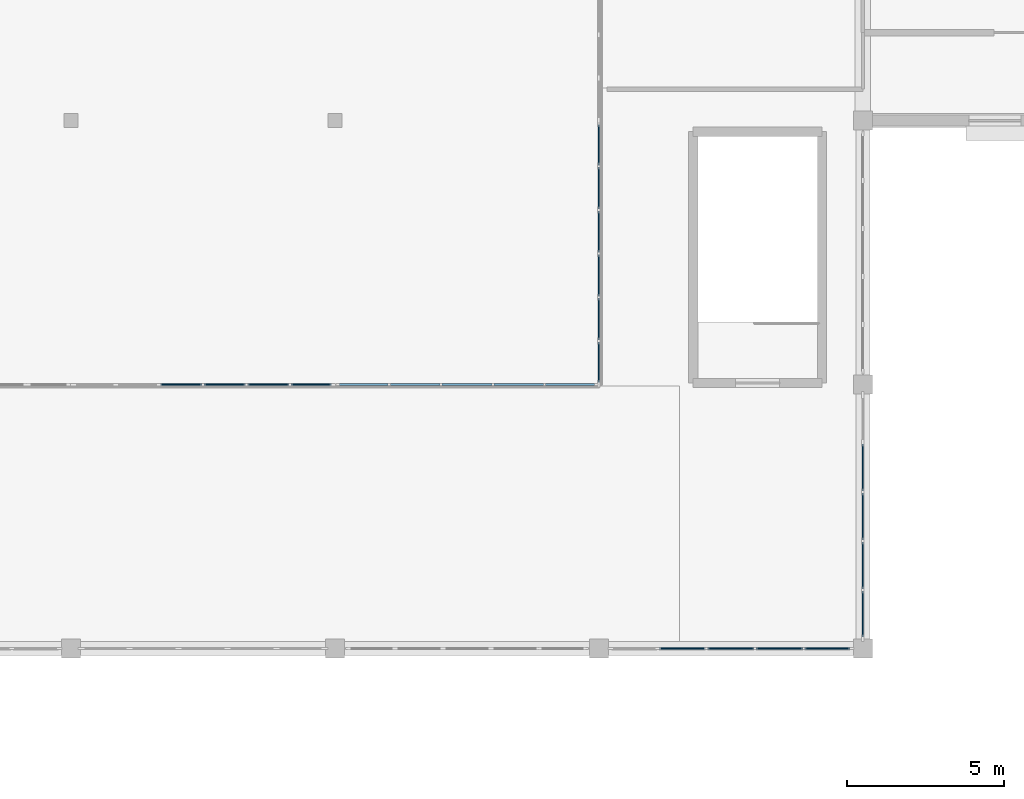
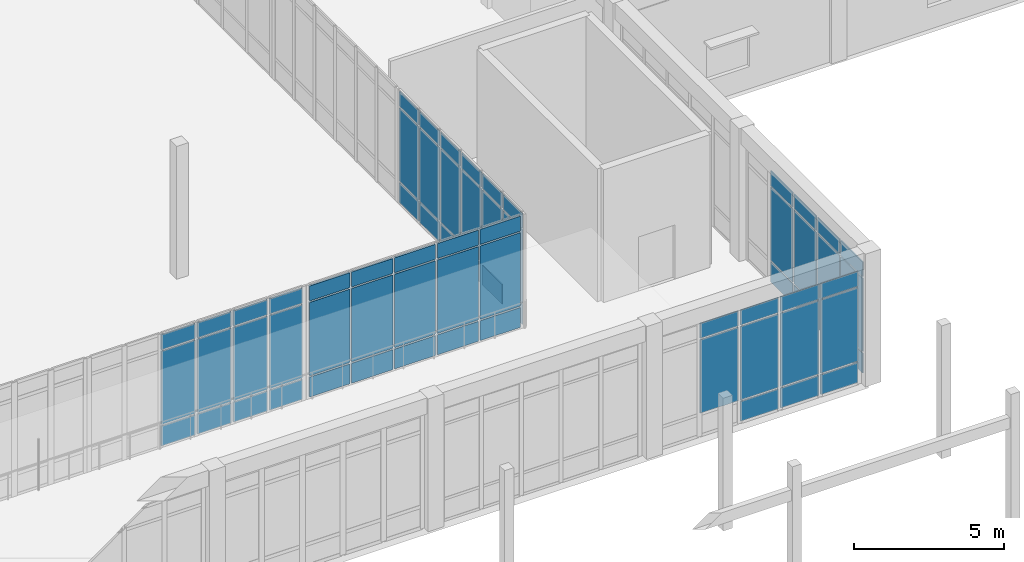
# One storey, part 60 of 157: 68 plates, 5 elements without a shape of their own.
"""IFC4 building model written with IfcOpenShell, lengths in metres."""

from ifc_helpers import new_model, si_unit, direction, frame, origin, origin_2d, place, context, subcontext, project, spatial, rectangle, extrude, material, layer, layer_set, type_object, element, aggregate, save


model = new_model("IFC4")

# Units and contexts
model_context = context("Model", 3, precision=1e-05, world=origin(), true_north=direction((0.0, 1.0)))
body_context = subcontext(model_context, "Body", "Model", "MODEL_VIEW")
ifc_project = project(units=[si_unit("LENGTHUNIT", "METRE"), si_unit("AREAUNIT", "SQUARE_METRE"), si_unit("VOLUMEUNIT", "CUBIC_METRE"), si_unit("PLANEANGLEUNIT", "RADIAN"), si_unit("MASSUNIT", "GRAM", prefix="KILO")], contexts=[model_context])

# Site, building, storey
site_placement = place(None, origin())
site = spatial("IfcSite", under=ifc_project, at=site_placement, CompositionType="ELEMENT")
building_placement = place(site_placement, origin())
building = spatial("IfcBuilding", under=site, at=building_placement, Name="Varncliffe General Hospital", CompositionType="ELEMENT")
storey_placement = place(building_placement, frame((0.0, 0.0, 5.39990234375)))
storey = spatial("IfcBuildingStorey", under=building, at=storey_placement, Name="L01", CompositionType="ELEMENT", Elevation=5.39990234375)

# Curtain wall, plates
ifc_material_1 = material(Name="Triple low-E argon insulated vision glazing", Category="glass")
curtain_wall_type_1 = type_object("IfcCurtainWallType", Name="Unitised Glazed Curtain Wall CW70 (7724x4640)", PredefinedType="USERDEFINED", material=ifc_material_1)
curtain_wall_1_placement = place(storey_placement, origin())
curtain_wall_1 = element("IfcCurtainWall", 1, at=curtain_wall_1_placement, inside=storey, type_object=curtain_wall_type_1, Name="L01 Glazed Curtain Wall CW70-46", ObjectType="GLAZED CURTAIN WALL", PredefinedType="USERDEFINED")
ifc_layer_1 = layer(ifc_material_1, 0.0439453125)
ifc_layer_set_1 = layer_set([ifc_layer_1], Name="Triple low-E argon insulated vision glazing")
plate_type_1 = type_object("IfcPlateType", Name="Curtain Wall Glazing Panel CP12 (44mm)", PredefinedType="CURTAIN_PANEL", material=ifc_layer_set_1)
plate_1_placement = place(storey_placement, frame((116.470947265625, 7.199951171875, 0.06005859375), z_axis=(0.0, 0.0, 1.0), x_axis=(-1.0, 0.0, 0.0)))
plate_1 = element("IfcPlate", 2, at=plate_1_placement, type_object=plate_type_1, Name="CW70 panel 1.1", PredefinedType="CURTAIN_PANEL", context=body_context, shape_type="SweptSolid", body=[
    extrude(rectangle(XDim=1.432373046875, YDim=0.0439453125, at=origin_2d()), origin(), (0.0, 0.0, 1.0), 0.81005859375),
])
plate_2_placement = place(storey_placement, frame((116.470947265625, 7.199951171875, 0.93017578125), z_axis=(0.0, 0.0, 1.0), x_axis=(-1.0, 0.0, 0.0)))
plate_2 = element("IfcPlate", 3, at=plate_2_placement, type_object=plate_type_1, Name="CW70 panel 1.2", PredefinedType="CURTAIN_PANEL", context=body_context, shape_type="SweptSolid", body=[
    extrude(rectangle(XDim=1.432373046875, YDim=0.0439453125, at=origin_2d()), origin(), (0.0, 0.0, 1.0), 2.97998046875),
])
plate_3_placement = place(storey_placement, frame((116.470947265625, 7.199951171875, 3.97021484375), z_axis=(0.0, 0.0, 1.0), x_axis=(-1.0, 0.0, 0.0)))
plate_3 = element("IfcPlate", 4, at=plate_3_placement, type_object=plate_type_1, Name="CW70 panel 1.3", PredefinedType="CURTAIN_PANEL", context=body_context, shape_type="SweptSolid", body=[
    extrude(rectangle(XDim=1.432373046875, YDim=0.0439453125, at=origin_2d()), origin(), (0.0, 0.0, 1.0), 0.610107421875),
])
plate_4_placement = place(storey_placement, frame((114.94482421875, 7.199951171875, 0.06005859375), z_axis=(0.0, 0.0, 1.0), x_axis=(-1.0, 0.0, 0.0)))
plate_4 = element("IfcPlate", 5, at=plate_4_placement, type_object=plate_type_1, Name="CW70 panel 2.1", PredefinedType="CURTAIN_PANEL", context=body_context, shape_type="SweptSolid", body=[
    extrude(rectangle(XDim=1.4697265625, YDim=0.0439453125, at=origin_2d()), origin(), (0.0, 0.0, 1.0), 0.81005859375),
])
plate_5_placement = place(storey_placement, frame((114.94482421875, 7.199951171875, 0.93017578125), z_axis=(0.0, 0.0, 1.0), x_axis=(-1.0, 0.0, 0.0)))
plate_5 = element("IfcPlate", 6, at=plate_5_placement, type_object=plate_type_1, Name="CW70 panel 2.2", PredefinedType="CURTAIN_PANEL", context=body_context, shape_type="SweptSolid", body=[
    extrude(rectangle(XDim=1.4697265625, YDim=0.0439453125, at=origin_2d()), origin(), (0.0, 0.0, 1.0), 2.97998046875),
])
plate_6_placement = place(storey_placement, frame((114.94482421875, 7.199951171875, 3.97021484375), z_axis=(0.0, 0.0, 1.0), x_axis=(-1.0, 0.0, 0.0)))
plate_6 = element("IfcPlate", 7, at=plate_6_placement, type_object=plate_type_1, Name="CW70 panel 2.3", PredefinedType="CURTAIN_PANEL", context=body_context, shape_type="SweptSolid", body=[
    extrude(rectangle(XDim=1.4697265625, YDim=0.0439453125, at=origin_2d()), origin(), (0.0, 0.0, 1.0), 0.610107421875),
])
plate_7_placement = place(storey_placement, frame((113.39990234375, 7.199951171875, 0.06005859375), z_axis=(0.0, 0.0, 1.0), x_axis=(-1.0, 0.0, 0.0)))
plate_7 = element("IfcPlate", 8, at=plate_7_placement, type_object=plate_type_1, Name="CW70 panel 3.1", PredefinedType="CURTAIN_PANEL", context=body_context, shape_type="SweptSolid", body=[
    extrude(rectangle(XDim=1.4697265625, YDim=0.0439453125, at=origin_2d()), origin(), (0.0, 0.0, 1.0), 0.81005859375),
])
plate_8_placement = place(storey_placement, frame((113.39990234375, 7.199951171875, 0.93017578125), z_axis=(0.0, 0.0, 1.0), x_axis=(-1.0, 0.0, 0.0)))
plate_8 = element("IfcPlate", 9, at=plate_8_placement, type_object=plate_type_1, Name="CW70 panel 3.2", PredefinedType="CURTAIN_PANEL", context=body_context, shape_type="SweptSolid", body=[
    extrude(rectangle(XDim=1.4697265625, YDim=0.0439453125, at=origin_2d()), origin(), (0.0, 0.0, 1.0), 2.97998046875),
])
plate_9_placement = place(storey_placement, frame((113.39990234375, 7.199951171875, 3.97021484375), z_axis=(0.0, 0.0, 1.0), x_axis=(-1.0, 0.0, 0.0)))
plate_9 = element("IfcPlate", 10, at=plate_9_placement, type_object=plate_type_1, Name="CW70 panel 3.3", PredefinedType="CURTAIN_PANEL", context=body_context, shape_type="SweptSolid", body=[
    extrude(rectangle(XDim=1.4697265625, YDim=0.0439453125, at=origin_2d()), origin(), (0.0, 0.0, 1.0), 0.610107421875),
])
plate_10_placement = place(storey_placement, frame((111.855224609375, 7.199951171875, 0.93017578125), z_axis=(0.0, 0.0, 1.0), x_axis=(-1.0, 0.0, 0.0)))
plate_10 = element("IfcPlate", 11, at=plate_10_placement, type_object=plate_type_1, Name="CW70 panel 4.2", PredefinedType="CURTAIN_PANEL", context=body_context, shape_type="SweptSolid", body=[
    extrude(rectangle(XDim=1.4697265625, YDim=0.0439453125, at=origin_2d()), origin(), (0.0, 0.0, 1.0), 2.97998046875),
])
plate_11_placement = place(storey_placement, frame((111.855224609375, 7.199951171875, 3.97021484375), z_axis=(0.0, 0.0, 1.0), x_axis=(-1.0, 0.0, 0.0)))
plate_11 = element("IfcPlate", 12, at=plate_11_placement, type_object=plate_type_1, Name="CW70 panel 4.3", PredefinedType="CURTAIN_PANEL", context=body_context, shape_type="SweptSolid", body=[
    extrude(rectangle(XDim=1.4697265625, YDim=0.0439453125, at=origin_2d()), origin(), (0.0, 0.0, 1.0), 0.610107421875),
])
aggregate(curtain_wall_1, [plate_1, plate_2, plate_3, plate_4, plate_5, plate_6, plate_7, plate_8, plate_9, plate_10, plate_11])

curtain_wall_type_2 = type_object("IfcCurtainWallType", Name="Unitised Glazed Curtain Wall CW85 (7804x4640)", PredefinedType="USERDEFINED", material=ifc_material_1)
curtain_wall_2_placement = place(storey_placement, origin())
curtain_wall_2 = element("IfcCurtainWall", 13, at=curtain_wall_2_placement, inside=storey, type_object=curtain_wall_type_2, Name="L01 Glazed Curtain Wall CW85-45", ObjectType="GLAZED CURTAIN WALL", PredefinedType="USERDEFINED")
ifc_layer_2 = layer(ifc_material_1, 0.035888671875)
ifc_layer_set_2 = layer_set([ifc_layer_2], Name="Triple low-E argon insulated vision glazing")
plate_type_2 = type_object("IfcPlateType", Name="Curtain Wall Glazing Panel CP27 (36mm)", PredefinedType="CURTAIN_PANEL", material=ifc_layer_set_2)
plate_12_placement = place(storey_placement, frame((117.60009765625, 12.960693359375, 0.06494140625), z_axis=(0.0, 0.0, 1.0), x_axis=(0.0, -1.0, 0.0)))
plate_12 = element("IfcPlate", 14, at=plate_12_placement, type_object=plate_type_2, Name="CW85 panel 2.1", PredefinedType="CURTAIN_PANEL", context=body_context, shape_type="SweptSolid", body=[
    extrude(rectangle(XDim=1.48583984375, YDim=0.035888671875, at=origin_2d()), origin(), (0.0, 0.0, 1.0), 0.802490234375),
])
plate_13_placement = place(storey_placement, frame((117.60009765625, 12.960693359375, 0.9326171875), z_axis=(0.0, 0.0, 1.0), x_axis=(0.0, -1.0, 0.0)))
plate_13 = element("IfcPlate", 15, at=plate_13_placement, type_object=plate_type_2, Name="CW85 panel 2.2", PredefinedType="CURTAIN_PANEL", context=body_context, shape_type="SweptSolid", body=[
    extrude(rectangle(XDim=1.48583984375, YDim=0.035888671875, at=origin_2d()), origin(), (0.0, 0.0, 1.0), 2.97509765625),
])
plate_14_placement = place(storey_placement, frame((117.60009765625, 12.960693359375, 3.97265625), z_axis=(0.0, 0.0, 1.0), x_axis=(0.0, -1.0, 0.0)))
plate_14 = element("IfcPlate", 16, at=plate_14_placement, type_object=plate_type_2, Name="CW85 panel 2.3", PredefinedType="CURTAIN_PANEL", context=body_context, shape_type="SweptSolid", body=[
    extrude(rectangle(XDim=1.48583984375, YDim=0.035888671875, at=origin_2d()), origin(), (0.0, 0.0, 1.0), 0.6025390625),
])
plate_15_placement = place(storey_placement, frame((117.60009765625, 11.39990234375, 0.06494140625), z_axis=(0.0, 0.0, 1.0), x_axis=(0.0, -1.0, 0.0)))
plate_15 = element("IfcPlate", 17, at=plate_15_placement, type_object=plate_type_2, Name="CW85 panel 3.1", PredefinedType="CURTAIN_PANEL", context=body_context, shape_type="SweptSolid", body=[
    extrude(rectangle(XDim=1.48583984375, YDim=0.035888671875, at=origin_2d()), origin(), (0.0, 0.0, 1.0), 0.802490234375),
])
plate_16_placement = place(storey_placement, frame((117.60009765625, 11.39990234375, 0.9326171875), z_axis=(0.0, 0.0, 1.0), x_axis=(0.0, -1.0, 0.0)))
plate_16 = element("IfcPlate", 18, at=plate_16_placement, type_object=plate_type_2, Name="CW85 panel 3.2", PredefinedType="CURTAIN_PANEL", context=body_context, shape_type="SweptSolid", body=[
    extrude(rectangle(XDim=1.48583984375, YDim=0.035888671875, at=origin_2d()), origin(), (0.0, 0.0, 1.0), 2.97509765625),
])
plate_17_placement = place(storey_placement, frame((117.60009765625, 11.39990234375, 3.97265625), z_axis=(0.0, 0.0, 1.0), x_axis=(0.0, -1.0, 0.0)))
plate_17 = element("IfcPlate", 19, at=plate_17_placement, type_object=plate_type_2, Name="CW85 panel 3.3", PredefinedType="CURTAIN_PANEL", context=body_context, shape_type="SweptSolid", body=[
    extrude(rectangle(XDim=1.48583984375, YDim=0.035888671875, at=origin_2d()), origin(), (0.0, 0.0, 1.0), 0.6025390625),
])
plate_18_placement = place(storey_placement, frame((117.60009765625, 9.839111328125, 0.06494140625), z_axis=(0.0, 0.0, 1.0), x_axis=(0.0, -1.0, 0.0)))
plate_18 = element("IfcPlate", 20, at=plate_18_placement, type_object=plate_type_2, Name="CW85 panel 4.1", PredefinedType="CURTAIN_PANEL", context=body_context, shape_type="SweptSolid", body=[
    extrude(rectangle(XDim=1.48583984375, YDim=0.035888671875, at=origin_2d()), origin(), (0.0, 0.0, 1.0), 0.802490234375),
])
plate_19_placement = place(storey_placement, frame((117.60009765625, 9.839111328125, 0.9326171875), z_axis=(0.0, 0.0, 1.0), x_axis=(0.0, -1.0, 0.0)))
plate_19 = element("IfcPlate", 21, at=plate_19_placement, type_object=plate_type_2, Name="CW85 panel 4.2", PredefinedType="CURTAIN_PANEL", context=body_context, shape_type="SweptSolid", body=[
    extrude(rectangle(XDim=1.48583984375, YDim=0.035888671875, at=origin_2d()), origin(), (0.0, 0.0, 1.0), 2.97509765625),
])
plate_20_placement = place(storey_placement, frame((117.60009765625, 9.839111328125, 3.97265625), z_axis=(0.0, 0.0, 1.0), x_axis=(0.0, -1.0, 0.0)))
plate_20 = element("IfcPlate", 22, at=plate_20_placement, type_object=plate_type_2, Name="CW85 panel 4.3", PredefinedType="CURTAIN_PANEL", context=body_context, shape_type="SweptSolid", body=[
    extrude(rectangle(XDim=1.48583984375, YDim=0.035888671875, at=origin_2d()), origin(), (0.0, 0.0, 1.0), 0.6025390625),
])
plate_21_placement = place(storey_placement, frame((117.60009765625, 8.297119140625, 0.06494140625), z_axis=(0.0, 0.0, 1.0), x_axis=(0.0, -1.0, 0.0)))
plate_21 = element("IfcPlate", 23, at=plate_21_placement, type_object=plate_type_2, Name="CW85 panel 5.1", PredefinedType="CURTAIN_PANEL", context=body_context, shape_type="SweptSolid", body=[
    extrude(rectangle(XDim=1.4482421875, YDim=0.035888671875, at=origin_2d()), origin(), (0.0, 0.0, 1.0), 0.802490234375),
])
plate_22_placement = place(storey_placement, frame((117.60009765625, 8.297119140625, 0.9326171875), z_axis=(0.0, 0.0, 1.0), x_axis=(0.0, -1.0, 0.0)))
plate_22 = element("IfcPlate", 24, at=plate_22_placement, type_object=plate_type_2, Name="CW85 panel 5.2", PredefinedType="CURTAIN_PANEL", context=body_context, shape_type="SweptSolid", body=[
    extrude(rectangle(XDim=1.4482421875, YDim=0.035888671875, at=origin_2d()), origin(), (0.0, 0.0, 1.0), 2.97509765625),
])
plate_23_placement = place(storey_placement, frame((117.60009765625, 8.297119140625, 3.97265625), z_axis=(0.0, 0.0, 1.0), x_axis=(0.0, -1.0, 0.0)))
plate_23 = element("IfcPlate", 25, at=plate_23_placement, type_object=plate_type_2, Name="CW85 panel 5.3", PredefinedType="CURTAIN_PANEL", context=body_context, shape_type="SweptSolid", body=[
    extrude(rectangle(XDim=1.4482421875, YDim=0.035888671875, at=origin_2d()), origin(), (0.0, 0.0, 1.0), 0.6025390625),
])
aggregate(curtain_wall_2, [plate_12, plate_13, plate_14, plate_15, plate_16, plate_17, plate_18, plate_19, plate_20, plate_21, plate_22, plate_23])

curtain_wall_type_3 = type_object("IfcCurtainWallType", Name="Unitised Glazed Curtain Wall CW86 (8340x4640)", PredefinedType="USERDEFINED", material=ifc_material_1)
curtain_wall_3_placement = place(storey_placement, origin())
curtain_wall_3 = element("IfcCurtainWall", 26, at=curtain_wall_3_placement, inside=storey, type_object=curtain_wall_type_3, Name="L01 Glazed Curtain Wall CW86-96", ObjectType="GLAZED CURTAIN WALL", PredefinedType="USERDEFINED")
plate_24_placement = place(storey_placement, frame((109.199951171875, 16.313720703125, 0.06494140625), z_axis=(0.0, 0.0, 1.0), x_axis=(0.0, 1.0, 0.0)))
plate_24 = element("IfcPlate", 27, at=plate_24_placement, type_object=plate_type_2, Name="CW86 panel 1.1", PredefinedType="CURTAIN_PANEL", context=body_context, shape_type="SweptSolid", body=[
    extrude(rectangle(XDim=1.277587890625, YDim=0.035888671875, at=origin_2d()), origin(), (0.0, 0.0, 1.0), 0.802490234375),
])
plate_25_placement = place(storey_placement, frame((109.199951171875, 16.313720703125, 0.9326171875), z_axis=(0.0, 0.0, 1.0), x_axis=(0.0, 1.0, 0.0)))
plate_25 = element("IfcPlate", 28, at=plate_25_placement, type_object=plate_type_2, Name="CW86 panel 1.2", PredefinedType="CURTAIN_PANEL", context=body_context, shape_type="SweptSolid", body=[
    extrude(rectangle(XDim=1.277587890625, YDim=0.035888671875, at=origin_2d()), origin(), (0.0, 0.0, 1.0), 2.97509765625),
])
plate_26_placement = place(storey_placement, frame((109.199951171875, 16.313720703125, 3.97265625), z_axis=(0.0, 0.0, 1.0), x_axis=(0.0, 1.0, 0.0)))
plate_26 = element("IfcPlate", 29, at=plate_26_placement, type_object=plate_type_2, Name="CW86 panel 1.3", PredefinedType="CURTAIN_PANEL", context=body_context, shape_type="SweptSolid", body=[
    extrude(rectangle(XDim=1.277587890625, YDim=0.035888671875, at=origin_2d()), origin(), (0.0, 0.0, 1.0), 0.6025390625),
])
plate_27_placement = place(storey_placement, frame((109.199951171875, 17.68505859375, 0.06494140625), z_axis=(0.0, 0.0, 1.0), x_axis=(0.0, 1.0, 0.0)))
plate_27 = element("IfcPlate", 30, at=plate_27_placement, type_object=plate_type_2, Name="CW86 panel 2.1", PredefinedType="CURTAIN_PANEL", context=body_context, shape_type="SweptSolid", body=[
    extrude(rectangle(XDim=1.315185546875, YDim=0.035888671875, at=origin_2d()), origin(), (0.0, 0.0, 1.0), 0.802490234375),
])
plate_28_placement = place(storey_placement, frame((109.199951171875, 17.68505859375, 0.9326171875), z_axis=(0.0, 0.0, 1.0), x_axis=(0.0, 1.0, 0.0)))
plate_28 = element("IfcPlate", 31, at=plate_28_placement, type_object=plate_type_2, Name="CW86 panel 2.2", PredefinedType="CURTAIN_PANEL", context=body_context, shape_type="SweptSolid", body=[
    extrude(rectangle(XDim=1.315185546875, YDim=0.035888671875, at=origin_2d()), origin(), (0.0, 0.0, 1.0), 2.97509765625),
])
plate_29_placement = place(storey_placement, frame((109.199951171875, 17.68505859375, 3.97265625), z_axis=(0.0, 0.0, 1.0), x_axis=(0.0, 1.0, 0.0)))
plate_29 = element("IfcPlate", 32, at=plate_29_placement, type_object=plate_type_2, Name="CW86 panel 2.3", PredefinedType="CURTAIN_PANEL", context=body_context, shape_type="SweptSolid", body=[
    extrude(rectangle(XDim=1.315185546875, YDim=0.035888671875, at=origin_2d()), origin(), (0.0, 0.0, 1.0), 0.6025390625),
])
plate_30_placement = place(storey_placement, frame((109.199951171875, 19.0751953125, 0.06494140625), z_axis=(0.0, 0.0, 1.0), x_axis=(0.0, 1.0, 0.0)))
plate_30 = element("IfcPlate", 33, at=plate_30_placement, type_object=plate_type_2, Name="CW86 panel 3.1", PredefinedType="CURTAIN_PANEL", context=body_context, shape_type="SweptSolid", body=[
    extrude(rectangle(XDim=1.315185546875, YDim=0.035888671875, at=origin_2d()), origin(), (0.0, 0.0, 1.0), 0.802490234375),
])
plate_31_placement = place(storey_placement, frame((109.199951171875, 19.0751953125, 0.9326171875), z_axis=(0.0, 0.0, 1.0), x_axis=(0.0, 1.0, 0.0)))
plate_31 = element("IfcPlate", 34, at=plate_31_placement, type_object=plate_type_2, Name="CW86 panel 3.2", PredefinedType="CURTAIN_PANEL", context=body_context, shape_type="SweptSolid", body=[
    extrude(rectangle(XDim=1.315185546875, YDim=0.035888671875, at=origin_2d()), origin(), (0.0, 0.0, 1.0), 2.97509765625),
])
plate_32_placement = place(storey_placement, frame((109.199951171875, 19.0751953125, 3.97265625), z_axis=(0.0, 0.0, 1.0), x_axis=(0.0, 1.0, 0.0)))
plate_32 = element("IfcPlate", 35, at=plate_32_placement, type_object=plate_type_2, Name="CW86 panel 3.3", PredefinedType="CURTAIN_PANEL", context=body_context, shape_type="SweptSolid", body=[
    extrude(rectangle(XDim=1.315185546875, YDim=0.035888671875, at=origin_2d()), origin(), (0.0, 0.0, 1.0), 0.6025390625),
])
plate_33_placement = place(storey_placement, frame((109.199951171875, 20.46533203125, 0.06494140625), z_axis=(0.0, 0.0, 1.0), x_axis=(0.0, 1.0, 0.0)))
plate_33 = element("IfcPlate", 36, at=plate_33_placement, type_object=plate_type_2, Name="CW86 panel 4.1", PredefinedType="CURTAIN_PANEL", context=body_context, shape_type="SweptSolid", body=[
    extrude(rectangle(XDim=1.315185546875, YDim=0.035888671875, at=origin_2d()), origin(), (0.0, 0.0, 1.0), 0.802490234375),
])
plate_34_placement = place(storey_placement, frame((109.199951171875, 20.46533203125, 0.9326171875), z_axis=(0.0, 0.0, 1.0), x_axis=(0.0, 1.0, 0.0)))
plate_34 = element("IfcPlate", 37, at=plate_34_placement, type_object=plate_type_2, Name="CW86 panel 4.2", PredefinedType="CURTAIN_PANEL", context=body_context, shape_type="SweptSolid", body=[
    extrude(rectangle(XDim=1.315185546875, YDim=0.035888671875, at=origin_2d()), origin(), (0.0, 0.0, 1.0), 2.97509765625),
])
plate_35_placement = place(storey_placement, frame((109.199951171875, 20.46533203125, 3.97265625), z_axis=(0.0, 0.0, 1.0), x_axis=(0.0, 1.0, 0.0)))
plate_35 = element("IfcPlate", 38, at=plate_35_placement, type_object=plate_type_2, Name="CW86 panel 4.3", PredefinedType="CURTAIN_PANEL", context=body_context, shape_type="SweptSolid", body=[
    extrude(rectangle(XDim=1.315185546875, YDim=0.035888671875, at=origin_2d()), origin(), (0.0, 0.0, 1.0), 0.6025390625),
])
plate_36_placement = place(storey_placement, frame((109.199951171875, 21.855224609375, 0.06494140625), z_axis=(0.0, 0.0, 1.0), x_axis=(0.0, 1.0, 0.0)))
plate_36 = element("IfcPlate", 39, at=plate_36_placement, type_object=plate_type_2, Name="CW86 panel 5.1", PredefinedType="CURTAIN_PANEL", context=body_context, shape_type="SweptSolid", body=[
    extrude(rectangle(XDim=1.315185546875, YDim=0.035888671875, at=origin_2d()), origin(), (0.0, 0.0, 1.0), 0.802490234375),
])
plate_37_placement = place(storey_placement, frame((109.199951171875, 21.855224609375, 0.9326171875), z_axis=(0.0, 0.0, 1.0), x_axis=(0.0, 1.0, 0.0)))
plate_37 = element("IfcPlate", 40, at=plate_37_placement, type_object=plate_type_2, Name="CW86 panel 5.2", PredefinedType="CURTAIN_PANEL", context=body_context, shape_type="SweptSolid", body=[
    extrude(rectangle(XDim=1.315185546875, YDim=0.035888671875, at=origin_2d()), origin(), (0.0, 0.0, 1.0), 2.97509765625),
])
plate_38_placement = place(storey_placement, frame((109.199951171875, 21.855224609375, 3.97265625), z_axis=(0.0, 0.0, 1.0), x_axis=(0.0, 1.0, 0.0)))
plate_38 = element("IfcPlate", 41, at=plate_38_placement, type_object=plate_type_2, Name="CW86 panel 5.3", PredefinedType="CURTAIN_PANEL", context=body_context, shape_type="SweptSolid", body=[
    extrude(rectangle(XDim=1.315185546875, YDim=0.035888671875, at=origin_2d()), origin(), (0.0, 0.0, 1.0), 0.6025390625),
])
plate_39_placement = place(storey_placement, frame((109.199951171875, 23.2265625, 0.06494140625), z_axis=(0.0, 0.0, 1.0), x_axis=(0.0, 1.0, 0.0)))
plate_39 = element("IfcPlate", 42, at=plate_39_placement, type_object=plate_type_2, Name="CW86 panel 6.1", PredefinedType="CURTAIN_PANEL", context=body_context, shape_type="SweptSolid", body=[
    extrude(rectangle(XDim=1.277587890625, YDim=0.035888671875, at=origin_2d()), origin(), (0.0, 0.0, 1.0), 0.802490234375),
])
plate_40_placement = place(storey_placement, frame((109.199951171875, 23.2265625, 0.9326171875), z_axis=(0.0, 0.0, 1.0), x_axis=(0.0, 1.0, 0.0)))
plate_40 = element("IfcPlate", 43, at=plate_40_placement, type_object=plate_type_2, Name="CW86 panel 6.2", PredefinedType="CURTAIN_PANEL", context=body_context, shape_type="SweptSolid", body=[
    extrude(rectangle(XDim=1.277587890625, YDim=0.035888671875, at=origin_2d()), origin(), (0.0, 0.0, 1.0), 2.97509765625),
])
plate_41_placement = place(storey_placement, frame((109.199951171875, 23.2265625, 3.97265625), z_axis=(0.0, 0.0, 1.0), x_axis=(0.0, 1.0, 0.0)))
plate_41 = element("IfcPlate", 44, at=plate_41_placement, type_object=plate_type_2, Name="CW86 panel 6.3", PredefinedType="CURTAIN_PANEL", context=body_context, shape_type="SweptSolid", body=[
    extrude(rectangle(XDim=1.277587890625, YDim=0.035888671875, at=origin_2d()), origin(), (0.0, 0.0, 1.0), 0.6025390625),
])
aggregate(curtain_wall_3, [plate_24, plate_25, plate_26, plate_27, plate_28, plate_29, plate_30, plate_31, plate_32, plate_33, plate_34, plate_35, plate_36, plate_37, plate_38, plate_39, plate_40, plate_41])

curtain_wall_type_4 = type_object("IfcCurtainWallType", Name="Unitised Glazed Curtain Wall CW56 (8240x4640)", PredefinedType="USERDEFINED", material=ifc_material_1)
curtain_wall_4_placement = place(storey_placement, origin())
curtain_wall_4 = element("IfcCurtainWall", 45, at=curtain_wall_4_placement, inside=storey, type_object=curtain_wall_type_4, Name="L01 Glazed Curtain Wall CW56-95", ObjectType="GLAZED CURTAIN WALL", PredefinedType="USERDEFINED")
ifc_material_2 = material(Name="Insulated ceramic-fritted spandrel glazing panel", Category="glass")
ifc_layer_3 = layer(ifc_material_2, 0.06396484375)
ifc_layer_set_3 = layer_set([ifc_layer_3], Name="Insulated ceramic-fritted spandrel glazing panel")
plate_type_3 = type_object("IfcPlateType", Name="Curtain Wall Glazing Panel CP41 (64mm)", PredefinedType="CURTAIN_PANEL", material=ifc_layer_set_3)
plate_42_placement = place(storey_placement, frame((101.72021484375, 15.60009765625, 0.06005859375), z_axis=(0.0, 0.0, 1.0), x_axis=(1.0, 0.0, 0.0)))
plate_42 = element("IfcPlate", 46, at=plate_42_placement, type_object=plate_type_3, Name="CW56 panel 1.1", PredefinedType="CURTAIN_PANEL", context=body_context, shape_type="SweptSolid", body=[
    extrude(rectangle(XDim=1.550537109375, YDim=0.06396484375, at=origin_2d()), origin(), (0.0, 0.0, 1.0), 0.81005859375),
])
plate_43_placement = place(storey_placement, frame((101.72021484375, 15.60009765625, 0.93017578125), z_axis=(0.0, 0.0, 1.0), x_axis=(1.0, 0.0, 0.0)))
plate_43 = element("IfcPlate", 47, at=plate_43_placement, type_object=plate_type_3, Name="CW56 panel 1.2", PredefinedType="CURTAIN_PANEL", context=body_context, shape_type="SweptSolid", body=[
    extrude(rectangle(XDim=1.550537109375, YDim=0.06396484375, at=origin_2d()), origin(), (0.0, 0.0, 1.0), 2.97998046875),
])
plate_44_placement = place(storey_placement, frame((101.72021484375, 15.60009765625, 3.97021484375), z_axis=(0.0, 0.0, 1.0), x_axis=(1.0, 0.0, 0.0)))
plate_44 = element("IfcPlate", 48, at=plate_44_placement, type_object=plate_type_3, Name="CW56 panel 1.3", PredefinedType="CURTAIN_PANEL", context=body_context, shape_type="SweptSolid", body=[
    extrude(rectangle(XDim=1.550537109375, YDim=0.06396484375, at=origin_2d()), origin(), (0.0, 0.0, 1.0), 0.610107421875),
])
plate_45_placement = place(storey_placement, frame((103.35205078125, 15.60009765625, 0.06005859375), z_axis=(0.0, 0.0, 1.0), x_axis=(1.0, 0.0, 0.0)))
plate_45 = element("IfcPlate", 49, at=plate_45_placement, type_object=plate_type_3, Name="CW56 panel 2.1", PredefinedType="CURTAIN_PANEL", context=body_context, shape_type="SweptSolid", body=[
    extrude(rectangle(XDim=1.5830078125, YDim=0.06396484375, at=origin_2d()), origin(), (0.0, 0.0, 1.0), 0.81005859375),
])
plate_46_placement = place(storey_placement, frame((103.35205078125, 15.60009765625, 0.93017578125), z_axis=(0.0, 0.0, 1.0), x_axis=(1.0, 0.0, 0.0)))
plate_46 = element("IfcPlate", 50, at=plate_46_placement, type_object=plate_type_3, Name="CW56 panel 2.2", PredefinedType="CURTAIN_PANEL", context=body_context, shape_type="SweptSolid", body=[
    extrude(rectangle(XDim=1.5830078125, YDim=0.06396484375, at=origin_2d()), origin(), (0.0, 0.0, 1.0), 2.97998046875),
])
plate_47_placement = place(storey_placement, frame((103.35205078125, 15.60009765625, 3.97021484375), z_axis=(0.0, 0.0, 1.0), x_axis=(1.0, 0.0, 0.0)))
plate_47 = element("IfcPlate", 51, at=plate_47_placement, type_object=plate_type_3, Name="CW56 panel 2.3", PredefinedType="CURTAIN_PANEL", context=body_context, shape_type="SweptSolid", body=[
    extrude(rectangle(XDim=1.5830078125, YDim=0.06396484375, at=origin_2d()), origin(), (0.0, 0.0, 1.0), 0.610107421875),
])
plate_48_placement = place(storey_placement, frame((105.0, 15.60009765625, 0.06005859375), z_axis=(0.0, 0.0, 1.0), x_axis=(1.0, 0.0, 0.0)))
plate_48 = element("IfcPlate", 52, at=plate_48_placement, type_object=plate_type_3, Name="CW56 panel 3.1", PredefinedType="CURTAIN_PANEL", context=body_context, shape_type="SweptSolid", body=[
    extrude(rectangle(XDim=1.5830078125, YDim=0.06396484375, at=origin_2d()), origin(), (0.0, 0.0, 1.0), 0.81005859375),
])
plate_49_placement = place(storey_placement, frame((105.0, 15.60009765625, 0.93017578125), z_axis=(0.0, 0.0, 1.0), x_axis=(1.0, 0.0, 0.0)))
plate_49 = element("IfcPlate", 53, at=plate_49_placement, type_object=plate_type_3, Name="CW56 panel 3.2", PredefinedType="CURTAIN_PANEL", context=body_context, shape_type="SweptSolid", body=[
    extrude(rectangle(XDim=1.5830078125, YDim=0.06396484375, at=origin_2d()), origin(), (0.0, 0.0, 1.0), 2.97998046875),
])
plate_50_placement = place(storey_placement, frame((105.0, 15.60009765625, 3.97021484375), z_axis=(0.0, 0.0, 1.0), x_axis=(1.0, 0.0, 0.0)))
plate_50 = element("IfcPlate", 54, at=plate_50_placement, type_object=plate_type_3, Name="CW56 panel 3.3", PredefinedType="CURTAIN_PANEL", context=body_context, shape_type="SweptSolid", body=[
    extrude(rectangle(XDim=1.5830078125, YDim=0.06396484375, at=origin_2d()), origin(), (0.0, 0.0, 1.0), 0.610107421875),
])
plate_51_placement = place(storey_placement, frame((106.64794921875, 15.60009765625, 0.06005859375), z_axis=(0.0, 0.0, 1.0), x_axis=(1.0, 0.0, 0.0)))
plate_51 = element("IfcPlate", 55, at=plate_51_placement, type_object=plate_type_3, Name="CW56 panel 4.1", PredefinedType="CURTAIN_PANEL", context=body_context, shape_type="SweptSolid", body=[
    extrude(rectangle(XDim=1.5830078125, YDim=0.06396484375, at=origin_2d()), origin(), (0.0, 0.0, 1.0), 0.81005859375),
])
plate_52_placement = place(storey_placement, frame((106.64794921875, 15.60009765625, 0.93017578125), z_axis=(0.0, 0.0, 1.0), x_axis=(1.0, 0.0, 0.0)))
plate_52 = element("IfcPlate", 56, at=plate_52_placement, type_object=plate_type_3, Name="CW56 panel 4.2", PredefinedType="CURTAIN_PANEL", context=body_context, shape_type="SweptSolid", body=[
    extrude(rectangle(XDim=1.5830078125, YDim=0.06396484375, at=origin_2d()), origin(), (0.0, 0.0, 1.0), 2.97998046875),
])
plate_53_placement = place(storey_placement, frame((106.64794921875, 15.60009765625, 3.97021484375), z_axis=(0.0, 0.0, 1.0), x_axis=(1.0, 0.0, 0.0)))
plate_53 = element("IfcPlate", 57, at=plate_53_placement, type_object=plate_type_3, Name="CW56 panel 4.3", PredefinedType="CURTAIN_PANEL", context=body_context, shape_type="SweptSolid", body=[
    extrude(rectangle(XDim=1.5830078125, YDim=0.06396484375, at=origin_2d()), origin(), (0.0, 0.0, 1.0), 0.610107421875),
])
plate_54_placement = place(storey_placement, frame((108.27978515625, 15.60009765625, 0.06005859375), z_axis=(0.0, 0.0, 1.0), x_axis=(1.0, 0.0, 0.0)))
plate_54 = element("IfcPlate", 58, at=plate_54_placement, type_object=plate_type_3, Name="CW56 panel 5.1", PredefinedType="CURTAIN_PANEL", context=body_context, shape_type="SweptSolid", body=[
    extrude(rectangle(XDim=1.550537109375, YDim=0.06396484375, at=origin_2d()), origin(), (0.0, 0.0, 1.0), 0.81005859375),
])
plate_55_placement = place(storey_placement, frame((108.27978515625, 15.60009765625, 0.93017578125), z_axis=(0.0, 0.0, 1.0), x_axis=(1.0, 0.0, 0.0)))
plate_55 = element("IfcPlate", 59, at=plate_55_placement, type_object=plate_type_3, Name="CW56 panel 5.2", PredefinedType="CURTAIN_PANEL", context=body_context, shape_type="SweptSolid", body=[
    extrude(rectangle(XDim=1.550537109375, YDim=0.06396484375, at=origin_2d()), origin(), (0.0, 0.0, 1.0), 2.97998046875),
])
plate_56_placement = place(storey_placement, frame((108.27978515625, 15.60009765625, 3.97021484375), z_axis=(0.0, 0.0, 1.0), x_axis=(1.0, 0.0, 0.0)))
plate_56 = element("IfcPlate", 60, at=plate_56_placement, type_object=plate_type_3, Name="CW56 panel 5.3", PredefinedType="CURTAIN_PANEL", context=body_context, shape_type="SweptSolid", body=[
    extrude(rectangle(XDim=1.550537109375, YDim=0.06396484375, at=origin_2d()), origin(), (0.0, 0.0, 1.0), 0.610107421875),
])
aggregate(curtain_wall_4, [plate_42, plate_43, plate_44, plate_45, plate_46, plate_47, plate_48, plate_49, plate_50, plate_51, plate_52, plate_53, plate_54, plate_55, plate_56])

curtain_wall_type_5 = type_object("IfcCurtainWallType", Name="Unitised Glazed Curtain Wall CW74 (8320x4640)", PredefinedType="USERDEFINED", material=ifc_material_1)
curtain_wall_5_placement = place(storey_placement, origin())
curtain_wall_5 = element("IfcCurtainWall", 61, at=curtain_wall_5_placement, inside=storey, type_object=curtain_wall_type_5, Name="L01 Glazed Curtain Wall CW74-94", ObjectType="GLAZED CURTAIN WALL", PredefinedType="USERDEFINED")
ifc_layer_4 = layer(ifc_material_2, 0.052001953125)
ifc_layer_set_4 = layer_set([ifc_layer_4], Name="Insulated ceramic-fritted spandrel glazing panel")
plate_type_4 = type_object("IfcPlateType", Name="Curtain Wall Glazing Panel CP46 (52mm)", PredefinedType="CURTAIN_PANEL", material=ifc_layer_set_4)
plate_57_placement = place(storey_placement, frame((95.90673828125, 15.60009765625, 0.06005859375), z_axis=(0.0, 0.0, 1.0), x_axis=(1.0, 0.0, 0.0)))
plate_57 = element("IfcPlate", 62, at=plate_57_placement, type_object=plate_type_4, Name="CW74 panel 3.1", PredefinedType="CURTAIN_PANEL", context=body_context, shape_type="SweptSolid", body=[
    extrude(rectangle(XDim=1.311767578125, YDim=0.052001953125, at=origin_2d()), origin(), (0.0, 0.0, 1.0), 0.81005859375),
])
plate_58_placement = place(storey_placement, frame((95.90673828125, 15.60009765625, 0.93017578125), z_axis=(0.0, 0.0, 1.0), x_axis=(1.0, 0.0, 0.0)))
plate_58 = element("IfcPlate", 63, at=plate_58_placement, type_object=plate_type_4, Name="CW74 panel 3.2", PredefinedType="CURTAIN_PANEL", context=body_context, shape_type="SweptSolid", body=[
    extrude(rectangle(XDim=1.311767578125, YDim=0.052001953125, at=origin_2d()), origin(), (0.0, 0.0, 1.0), 2.97998046875),
])
plate_59_placement = place(storey_placement, frame((95.90673828125, 15.60009765625, 3.97021484375), z_axis=(0.0, 0.0, 1.0), x_axis=(1.0, 0.0, 0.0)))
plate_59 = element("IfcPlate", 64, at=plate_59_placement, type_object=plate_type_4, Name="CW74 panel 3.3", PredefinedType="CURTAIN_PANEL", context=body_context, shape_type="SweptSolid", body=[
    extrude(rectangle(XDim=1.311767578125, YDim=0.052001953125, at=origin_2d()), origin(), (0.0, 0.0, 1.0), 0.610107421875),
])
plate_60_placement = place(storey_placement, frame((97.293212890625, 15.60009765625, 0.06005859375), z_axis=(0.0, 0.0, 1.0), x_axis=(1.0, 0.0, 0.0)))
plate_60 = element("IfcPlate", 65, at=plate_60_placement, type_object=plate_type_4, Name="CW74 panel 4.1", PredefinedType="CURTAIN_PANEL", context=body_context, shape_type="SweptSolid", body=[
    extrude(rectangle(XDim=1.311767578125, YDim=0.052001953125, at=origin_2d()), origin(), (0.0, 0.0, 1.0), 0.81005859375),
])
plate_61_placement = place(storey_placement, frame((97.293212890625, 15.60009765625, 0.93017578125), z_axis=(0.0, 0.0, 1.0), x_axis=(1.0, 0.0, 0.0)))
plate_61 = element("IfcPlate", 66, at=plate_61_placement, type_object=plate_type_4, Name="CW74 panel 4.2", PredefinedType="CURTAIN_PANEL", context=body_context, shape_type="SweptSolid", body=[
    extrude(rectangle(XDim=1.311767578125, YDim=0.052001953125, at=origin_2d()), origin(), (0.0, 0.0, 1.0), 2.97998046875),
])
plate_62_placement = place(storey_placement, frame((97.293212890625, 15.60009765625, 3.97021484375), z_axis=(0.0, 0.0, 1.0), x_axis=(1.0, 0.0, 0.0)))
plate_62 = element("IfcPlate", 67, at=plate_62_placement, type_object=plate_type_4, Name="CW74 panel 4.3", PredefinedType="CURTAIN_PANEL", context=body_context, shape_type="SweptSolid", body=[
    extrude(rectangle(XDim=1.311767578125, YDim=0.052001953125, at=origin_2d()), origin(), (0.0, 0.0, 1.0), 0.610107421875),
])
plate_63_placement = place(storey_placement, frame((98.679931640625, 15.60009765625, 0.06005859375), z_axis=(0.0, 0.0, 1.0), x_axis=(1.0, 0.0, 0.0)))
plate_63 = element("IfcPlate", 68, at=plate_63_placement, type_object=plate_type_4, Name="CW74 panel 5.1", PredefinedType="CURTAIN_PANEL", context=body_context, shape_type="SweptSolid", body=[
    extrude(rectangle(XDim=1.311767578125, YDim=0.052001953125, at=origin_2d()), origin(), (0.0, 0.0, 1.0), 0.81005859375),
])
plate_64_placement = place(storey_placement, frame((98.679931640625, 15.60009765625, 0.93017578125), z_axis=(0.0, 0.0, 1.0), x_axis=(1.0, 0.0, 0.0)))
plate_64 = element("IfcPlate", 69, at=plate_64_placement, type_object=plate_type_4, Name="CW74 panel 5.2", PredefinedType="CURTAIN_PANEL", context=body_context, shape_type="SweptSolid", body=[
    extrude(rectangle(XDim=1.311767578125, YDim=0.052001953125, at=origin_2d()), origin(), (0.0, 0.0, 1.0), 2.97998046875),
])
plate_65_placement = place(storey_placement, frame((98.679931640625, 15.60009765625, 3.97021484375), z_axis=(0.0, 0.0, 1.0), x_axis=(1.0, 0.0, 0.0)))
plate_65 = element("IfcPlate", 70, at=plate_65_placement, type_object=plate_type_4, Name="CW74 panel 5.3", PredefinedType="CURTAIN_PANEL", context=body_context, shape_type="SweptSolid", body=[
    extrude(rectangle(XDim=1.311767578125, YDim=0.052001953125, at=origin_2d()), origin(), (0.0, 0.0, 1.0), 0.610107421875),
])
plate_66_placement = place(storey_placement, frame((100.0478515625, 15.60009765625, 0.06005859375), z_axis=(0.0, 0.0, 1.0), x_axis=(1.0, 0.0, 0.0)))
plate_66 = element("IfcPlate", 71, at=plate_66_placement, type_object=plate_type_4, Name="CW74 panel 6.1", PredefinedType="CURTAIN_PANEL", context=body_context, shape_type="SweptSolid", body=[
    extrude(rectangle(XDim=1.274169921875, YDim=0.052001953125, at=origin_2d()), origin(), (0.0, 0.0, 1.0), 0.81005859375),
])
plate_67_placement = place(storey_placement, frame((100.0478515625, 15.60009765625, 0.93017578125), z_axis=(0.0, 0.0, 1.0), x_axis=(1.0, 0.0, 0.0)))
plate_67 = element("IfcPlate", 72, at=plate_67_placement, type_object=plate_type_4, Name="CW74 panel 6.2", PredefinedType="CURTAIN_PANEL", context=body_context, shape_type="SweptSolid", body=[
    extrude(rectangle(XDim=1.274169921875, YDim=0.052001953125, at=origin_2d()), origin(), (0.0, 0.0, 1.0), 2.97998046875),
])
plate_68_placement = place(storey_placement, frame((100.0478515625, 15.60009765625, 3.97021484375), z_axis=(0.0, 0.0, 1.0), x_axis=(1.0, 0.0, 0.0)))
plate_68 = element("IfcPlate", 73, at=plate_68_placement, type_object=plate_type_4, Name="CW74 panel 6.3", PredefinedType="CURTAIN_PANEL", context=body_context, shape_type="SweptSolid", body=[
    extrude(rectangle(XDim=1.274169921875, YDim=0.052001953125, at=origin_2d()), origin(), (0.0, 0.0, 1.0), 0.610107421875),
])
aggregate(curtain_wall_5, [plate_57, plate_58, plate_59, plate_60, plate_61, plate_62, plate_63, plate_64, plate_65, plate_66, plate_67, plate_68])

save(model, "model.ifc")
